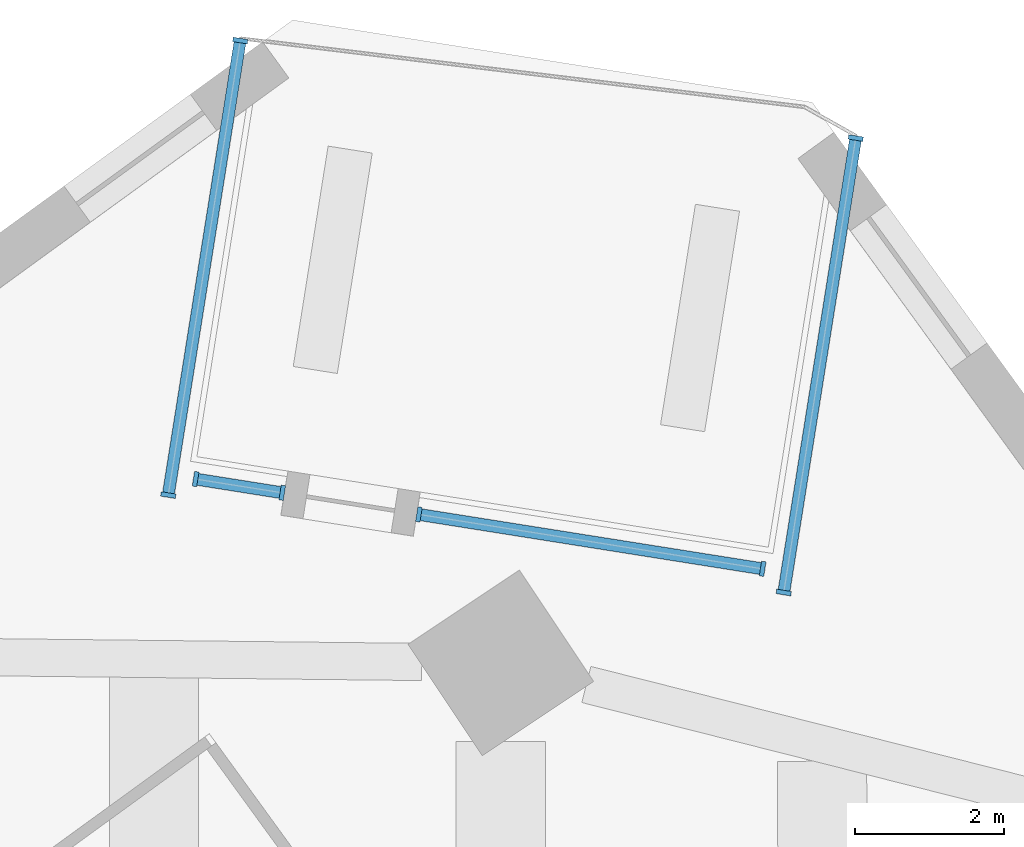
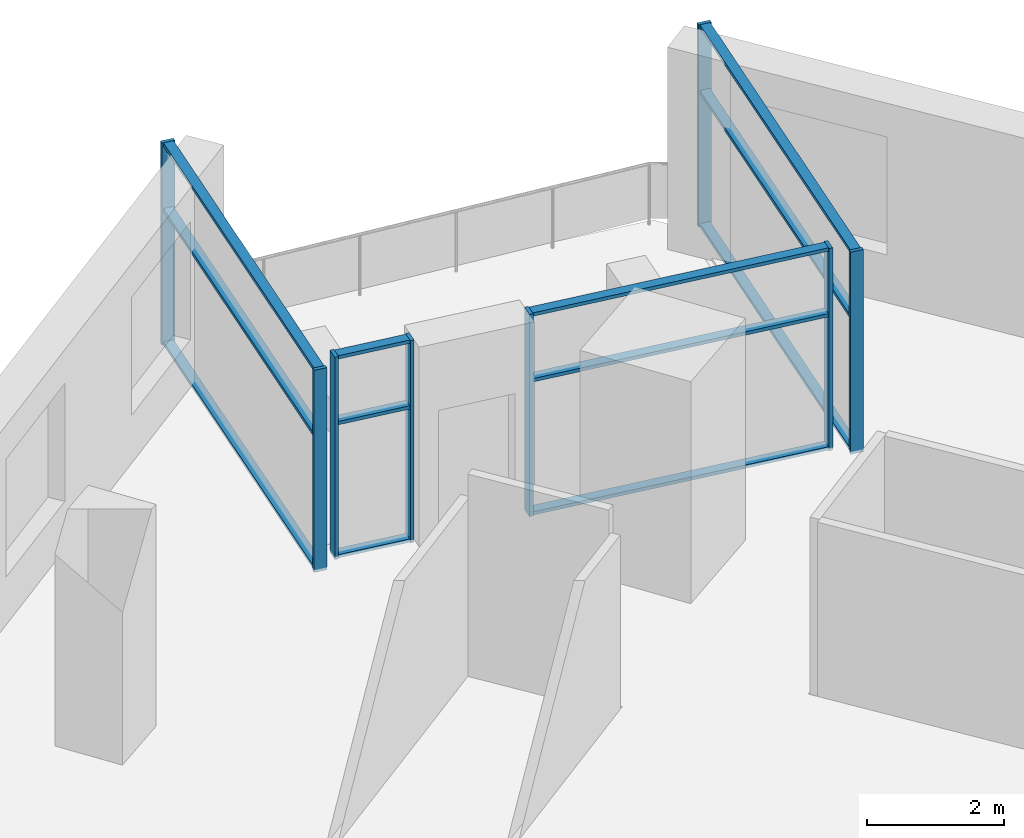
# One storey, part 2 of 11: 20 members, 4 elements without a shape of their own.
"""IFC4 building model written with IfcOpenShell, lengths in metres."""

import ifcopenshell
import ifcopenshell.guid

model = None  # the IFC model being written
_history = None  # IfcOwnerHistory: only IFC2X3 demands one
_inside = {}  # id of a spatial element -> (the spatial element, [elements in it])
_under = {}  # id of a project, library or spatial element -> (it, [spatial elements below it])
_declared = {}  # id of a project -> (the project, [libraries it declares])
_typed = {}  # id of a type object -> (the type object, [elements of that type])
_made_of = {}  # id of a material, layer set ... -> (it, [elements and type objects made of it])


def new_model(schema):
    """Start an empty IFC model of exactly this schema.

    Asked for "IFC4X3", IfcOpenShell would pick the latest addendum, in which some entities
    have other attributes; the version numbers below select the first issue.
    IFC2X3 requires an IfcOwnerHistory on every rooted entity: one is made here for all.
    """
    global model, _history
    if schema == "IFC4X3":
        model = ifcopenshell.file(schema_version=(4, 3, 0, 0))
    else:
        model = ifcopenshell.file(schema=schema)
    _inside.clear()
    _under.clear()
    _declared.clear()
    _typed.clear()
    _made_of.clear()
    _history = None
    if model.schema == "IFC2X3":
        org = make("IfcOrganization", Name="unknown")
        user = make(
            "IfcPersonAndOrganization",
            ThePerson=make("IfcPerson", FamilyName="unknown"),
            TheOrganization=org,
        )
        app = make(
            "IfcApplication",
            ApplicationDeveloper=org,
            Version="unknown",
            ApplicationFullName="unknown",
            ApplicationIdentifier="unknown",
        )
        _history = make(
            "IfcOwnerHistory",
            OwningUser=user,
            OwningApplication=app,
            ChangeAction="ADDED",
            CreationDate=0,
        )
    return model


def make(cls, **values):
    """One entity of the class cls with the attributes given. An attribute that is None is left unset."""
    return model.create_entity(
        cls, **{name: value for name, value in values.items() if value is not None}
    )


def rooted(cls, **values):
    """An entity with a GlobalId (a new one), such as an element, a storey or a relation."""
    return make(cls, GlobalId=ifcopenshell.guid.new(), OwnerHistory=_history, **values)


def si_unit(unit_type, name, prefix=None):
    """IfcSIUnit, for example si_unit("LENGTHUNIT", "METRE", prefix="MILLI")."""
    return make("IfcSIUnit", UnitType=unit_type, Prefix=prefix, Name=name)


def assignment(units):
    """IfcUnitAssignment: the units of a project."""
    return None if units is None else make("IfcUnitAssignment", Units=units)


def point(xyz):
    """IfcCartesianPoint."""
    return None if xyz is None else make("IfcCartesianPoint", Coordinates=xyz)


def direction(xyz):
    """IfcDirection."""
    return None if xyz is None else make("IfcDirection", DirectionRatios=xyz)


def frame(location, z_axis=None, x_axis=None):
    """IfcAxis2Placement3D, a coordinate frame: its origin and axes. An axis left out is left unset."""
    return make(
        "IfcAxis2Placement3D",
        Location=point(location),
        Axis=direction(z_axis),
        RefDirection=direction(x_axis),
    )


def frame_2d(location, x_axis=None):
    """IfcAxis2Placement2D, a coordinate frame in the plane: its origin and x axis."""
    return make(
        "IfcAxis2Placement2D", Location=point(location), RefDirection=direction(x_axis)
    )


def origin():
    """The frame at (0, 0, 0) with its axes left unset."""
    return frame((0.0, 0.0, 0.0))


def origin_2d():
    """The frame at (0, 0) in the plane with its x axis left unset."""
    return frame_2d((0.0, 0.0))


def place(relative_to, where):
    """IfcLocalPlacement: puts the frame where relative to a parent placement (None: the world)."""
    return make(
        "IfcLocalPlacement", PlacementRelTo=relative_to, RelativePlacement=where
    )


def context(
    kind, dimensions, precision=None, world=None, true_north=None, identifier=None
):
    """IfcGeometricRepresentationContext, for example the 3D "Model" context."""
    return make(
        "IfcGeometricRepresentationContext",
        ContextIdentifier=identifier,
        ContextType=kind,
        CoordinateSpaceDimension=dimensions,
        Precision=precision,
        WorldCoordinateSystem=world,
        TrueNorth=true_north,
    )


def subcontext(parent, identifier, kind, view, scale=None):
    """IfcGeometricRepresentationSubContext, for example "Body" below "Model"."""
    return make(
        "IfcGeometricRepresentationSubContext",
        ContextIdentifier=identifier,
        ContextType=kind,
        ParentContext=parent,
        TargetScale=scale,
        TargetView=view,
    )


def project(units=None, contexts=None):
    """IfcProject with its units and contexts."""
    return rooted(
        "IfcProject",
        Name="project",
        RepresentationContexts=contexts,
        UnitsInContext=assignment(units),
    )


def spatial(cls, under=None, at=None, **own):
    """A site, building, storey or space (cls), placed at a placement, below another one or the project."""
    s = rooted(cls, ObjectPlacement=at, **own)
    if under is not None:
        _under.setdefault(under.id(), (under, []))[1].append(s)
    return s


def profile(cls, at=None, kind="AREA", **sizes):
    """A parametric profile (cls). Its sizes go by their IFC names, for example OverallWidth=200.0."""
    return make(cls, ProfileType=kind, Position=at, **sizes)


def rectangle(**sizes):
    """IfcRectangleProfileDef."""
    return profile("IfcRectangleProfileDef", **sizes)


def extrude(swept, where, along, depth):
    """IfcExtrudedAreaSolid: the profile swept, set in the frame where, extruded along a direction by depth."""
    return make(
        "IfcExtrudedAreaSolid",
        SweptArea=swept,
        Position=where,
        ExtrudedDirection=direction(along),
        Depth=depth,
    )


def shape(context_of_items, identifier, shape_type, items):
    """IfcShapeRepresentation: the items that make up one representation, for example the "Body"."""
    return make(
        "IfcShapeRepresentation",
        ContextOfItems=context_of_items,
        RepresentationIdentifier=identifier,
        RepresentationType=shape_type,
        Items=items,
    )


def material(Name=None, Category=None):
    """IfcMaterial."""
    return make("IfcMaterial", Name=Name, Category=Category)


def material_profile(
    of_material, cross_section, Name=None, Category=None, Priority=None
):
    """IfcMaterialProfile: a cross section and its material."""
    return make(
        "IfcMaterialProfile",
        Name=Name,
        Material=of_material,
        Profile=cross_section,
        Priority=Priority,
        Category=Category,
    )


def profile_set(profiles, Name=None, composite=None):
    """IfcMaterialProfileSet."""
    return make(
        "IfcMaterialProfileSet",
        Name=Name,
        MaterialProfiles=profiles,
        CompositeProfile=composite,
    )


def made_of(thing, what):
    """Note that an element or type object is made of a material, layer set ...; save() writes the relation."""
    if what is not None:
        _made_of.setdefault(what.id(), (what, []))[1].append(thing)
    return thing


def type_object(cls, material=None, **own):
    """A type object (cls), such as IfcWallType, which elements share."""
    return made_of(rooted(cls, **own), material)


def element(
    cls,
    number,
    at=None,
    inside=None,
    cuts=None,
    type_object=None,
    material=None,
    context=None,
    identifier="Body",
    shape_type=None,
    held_by="IfcProductDefinitionShape",
    body=None,
    shapes=None,
    **own,
):
    """One element of the class cls, such as IfcWall. Its Tag is "e" and its number.

    at: its placement. inside: the storey or other place that contains it. cuts: it is an
    opening in that element (IfcRelVoidsElement). A single representation is given by context,
    identifier, shape_type and body (its items); several are given by shapes. held_by: the class
    of the entity that holds the representations. save() writes the other relations.
    """
    e = rooted(cls, Tag="e%d" % number, ObjectPlacement=at, **own)
    if body is not None:
        shapes = [shape(context, identifier, shape_type, body)]
    if shapes is not None:
        e.Representation = make(held_by, Representations=shapes)
    if inside is not None:
        _inside.setdefault(inside.id(), (inside, []))[1].append(e)
    if cuts is not None:
        rooted(
            "IfcRelVoidsElement", RelatingBuildingElement=cuts, RelatedOpeningElement=e
        )
    if type_object is not None:
        _typed.setdefault(type_object.id(), (type_object, []))[1].append(e)
    return made_of(e, material)


def aggregate(whole, parts):
    """IfcRelAggregates: a whole, such as a stair, and the parts it consists of."""
    return rooted("IfcRelAggregates", RelatingObject=whole, RelatedObjects=parts)


def save(model, path):
    """Write the relations noted so far, then the file.

    IfcRelAggregates (storeys below a building ...), IfcRelContainedInSpatialStructure (elements
    in a storey), IfcRelDefinesByType, IfcRelAssociatesMaterial and IfcRelDeclares: one each for
    every whole, place, type object, material and project.
    """
    for whole, parts in _under.values():
        aggregate(whole, parts)
    for where, things in _inside.values():
        rooted(
            "IfcRelContainedInSpatialStructure",
            RelatedElements=things,
            RelatingStructure=where,
        )
    for kind, things in _typed.values():
        rooted("IfcRelDefinesByType", RelatedObjects=things, RelatingType=kind)
    for what, things in _made_of.values():
        rooted("IfcRelAssociatesMaterial", RelatedObjects=things, RelatingMaterial=what)
    for by, libraries in _declared.values():
        rooted("IfcRelDeclares", RelatingContext=by, RelatedDefinitions=libraries)
    model.write(path)


model = new_model("IFC4")

# Units and contexts
model_context = context("Model", 3, precision=1e-05, world=origin(), true_north=direction((0.0, 1.0)))
body_context = subcontext(model_context, "Body", "Model", "MODEL_VIEW")
ifc_project = project(units=[si_unit("LENGTHUNIT", "METRE"), si_unit("AREAUNIT", "SQUARE_METRE"), si_unit("VOLUMEUNIT", "CUBIC_METRE"), si_unit("PLANEANGLEUNIT", "RADIAN"), si_unit("MASSUNIT", "GRAM", prefix="KILO")], contexts=[model_context])

# Site, building, storey
site_placement = place(None, origin())
site = spatial("IfcSite", under=ifc_project, at=site_placement, CompositionType="ELEMENT")
building_placement = place(site_placement, origin())
building = spatial("IfcBuilding", under=site, at=building_placement, Name="Dilmun Exchange Tower", CompositionType="ELEMENT")
storey_placement = place(building_placement, frame((0.0, 0.0, 163.699951171875)))
storey = spatial("IfcBuildingStorey", under=building, at=storey_placement, Name="L38", CompositionType="ELEMENT", Elevation=163.699951171875)

# Curtain wall, members
ifc_material_1 = material(Name="Anodised aluminium and clear glass", Category="aluminium")
curtain_wall_type = type_object("IfcCurtainWallType", Name="Garden corner glazing", PredefinedType="NOTDEFINED", material=ifc_material_1)
curtain_wall_1_placement = place(storey_placement, origin())
curtain_wall_1 = element("IfcCurtainWall", 1, at=curtain_wall_1_placement, inside=storey, type_object=curtain_wall_type, Name="Garden corner glazing run GC1.1", PredefinedType="NOTDEFINED")
ifc_material_2 = material(Name="Anodised aluminium", Category="aluminium")
ifc_material_profile_1 = material_profile(ifc_material_2, rectangle(XDim=0.199951171875, YDim=0.06005859375, at=origin_2d()), Name="AL 60x200")
ifc_profile_set_1 = profile_set([ifc_material_profile_1], Name="Anodised aluminium")
member_type_1 = type_object("IfcMemberType", Name="Garden corner glazing mullion 60 x 200", PredefinedType="MULLION", material=ifc_profile_set_1)
member_1_placement = place(storey_placement, frame((12.27734375, 34.465576171875, 0.0), z_axis=(0.0, 0.0, 1.0), x_axis=(0.987687564963, -0.15643936211, 0.0)))
member_1 = element("IfcMember", 2, at=member_1_placement, type_object=member_type_1, Name="GC1.1 mullion 1", PredefinedType="MULLION", context=body_context, shape_type="SweptSolid", body=[
    extrude(rectangle(XDim=0.199951171875, YDim=0.06005859375, at=origin_2d()), origin(), (0.0, 0.0, 1.0), 3.60009765625),
])
member_2_placement = place(storey_placement, frame((11.3095703125, 28.355224609375, 0.0), z_axis=(0.0, 0.0, 1.0), x_axis=(0.987687564963, -0.15643936211, 0.0)))
member_2 = element("IfcMember", 3, at=member_2_placement, type_object=member_type_1, Name="GC1.1 mullion 2", PredefinedType="MULLION", context=body_context, shape_type="SweptSolid", body=[
    extrude(rectangle(XDim=0.199951171875, YDim=0.06005859375, at=origin_2d()), origin(), (0.0, 0.0, 1.0), 3.60009765625),
])

curtain_wall_2_placement = place(storey_placement, origin())
curtain_wall_2 = element("IfcCurtainWall", 4, at=curtain_wall_2_placement, inside=storey, type_object=curtain_wall_type, Name="Garden corner glazing run GC2.1", PredefinedType="NOTDEFINED")
member_3_placement = place(storey_placement, frame((11.02587890625, 28.673583984375, 0.0), z_axis=(0.0, 0.0, 1.0), x_axis=(-0.156420902238, -0.987690488636, 0.0)))
member_3 = element("IfcMember", 5, at=member_3_placement, type_object=member_type_1, Name="GC2.1 mullion 1", PredefinedType="MULLION", context=body_context, shape_type="SweptSolid", body=[
    extrude(rectangle(XDim=0.199951171875, YDim=0.06005859375, at=origin_2d()), origin(), (0.0, 0.0, 1.0), 3.60009765625),
])
member_4_placement = place(storey_placement, frame((6.404541015625, 29.405517578125, 0.0), z_axis=(0.0, 0.0, 1.0), x_axis=(-0.156420902238, -0.987690488636, 0.0)))
member_4 = element("IfcMember", 6, at=member_4_placement, type_object=member_type_1, Name="GC2.1 mullion 2", PredefinedType="MULLION", context=body_context, shape_type="SweptSolid", body=[
    extrude(rectangle(XDim=0.199951171875, YDim=0.06005859375, at=origin_2d()), origin(), (0.0, 0.0, 1.0), 3.60009765625),
])

curtain_wall_3_placement = place(storey_placement, origin())
curtain_wall_3 = element("IfcCurtainWall", 7, at=curtain_wall_3_placement, inside=storey, type_object=curtain_wall_type, Name="Garden corner glazing run GC2.3", PredefinedType="NOTDEFINED")
member_5_placement = place(storey_placement, frame((4.5673828125, 29.6962890625, 0.0), z_axis=(0.0, 0.0, 1.0), x_axis=(-0.156488885164, -0.987679719757, 0.0)))
member_5 = element("IfcMember", 8, at=member_5_placement, type_object=member_type_1, Name="GC2.3 mullion 1", PredefinedType="MULLION", context=body_context, shape_type="SweptSolid", body=[
    extrude(rectangle(XDim=0.199951171875, YDim=0.06005859375, at=origin_2d()), origin(), (0.0, 0.0, 1.0), 3.60009765625),
])
member_6_placement = place(storey_placement, frame((3.40283203125, 29.880859375, 0.0), z_axis=(0.0, 0.0, 1.0), x_axis=(-0.156488885164, -0.987679719757, 0.0)))
member_6 = element("IfcMember", 9, at=member_6_placement, type_object=member_type_1, Name="GC2.3 mullion 2", PredefinedType="MULLION", context=body_context, shape_type="SweptSolid", body=[
    extrude(rectangle(XDim=0.199951171875, YDim=0.06005859375, at=origin_2d()), origin(), (0.0, 0.0, 1.0), 3.60009765625),
])

curtain_wall_4_placement = place(storey_placement, origin())
curtain_wall_4 = element("IfcCurtainWall", 10, at=curtain_wall_4_placement, inside=storey, type_object=curtain_wall_type, Name="Garden corner glazing run GC3.1", PredefinedType="NOTDEFINED")
member_7_placement = place(storey_placement, frame((3.03466796875, 29.665771484375, 0.0), z_axis=(0.0, 0.0, 1.0), x_axis=(-0.987687173161, 0.156441835751, 0.0)))
member_7 = element("IfcMember", 11, at=member_7_placement, type_object=member_type_1, Name="GC3.1 mullion 1", PredefinedType="MULLION", context=body_context, shape_type="SweptSolid", body=[
    extrude(rectangle(XDim=0.199951171875, YDim=0.06005859375, at=origin_2d()), origin(), (0.0, 0.0, 1.0), 3.60009765625),
])
member_8_placement = place(storey_placement, frame((4.00244140625, 35.776123046875, 0.0), z_axis=(0.0, 0.0, 1.0), x_axis=(-0.987687173161, 0.156441835751, 0.0)))
member_8 = element("IfcMember", 12, at=member_8_placement, type_object=member_type_1, Name="GC3.1 mullion 2", PredefinedType="MULLION", context=body_context, shape_type="SweptSolid", body=[
    extrude(rectangle(XDim=0.199951171875, YDim=0.06005859375, at=origin_2d()), origin(), (0.0, 0.0, 1.0), 3.60009765625),
])

# Member
ifc_material_profile_2 = material_profile(ifc_material_2, rectangle(XDim=0.159912109375, YDim=0.06005859375, at=origin_2d()), Name="AL 60x160")
ifc_profile_set_2 = profile_set([ifc_material_profile_2], Name="Anodised aluminium")
member_type_2 = type_object("IfcMemberType", Name="Garden corner glazing transom 60 x 160", PredefinedType="USERDEFINED", material=ifc_profile_set_2)
member_9_placement = place(storey_placement, frame((12.272705078125, 34.435791015625, 0.030029296875), z_axis=(-0.156451633997, -0.987685621147, 0.0), x_axis=(0.987685621147, -0.156451633997, 0.0)))
member_9 = element("IfcMember", 13, at=member_9_placement, type_object=member_type_2, Name="GC1.1 transom 1.1", ObjectType="TRANSOM", PredefinedType="USERDEFINED", context=body_context, shape_type="SweptSolid", body=[
    extrude(rectangle(XDim=0.159912109375, YDim=0.06005859375, at=origin_2d()), origin(), (0.0, 0.0, 1.0), 6.12646484375),
])

member_10_placement = place(storey_placement, frame((12.272705078125, 34.435791015625, 2.400146484375), z_axis=(-0.156451633997, -0.987685621147, 0.0), x_axis=(0.987685621147, -0.156451633997, 0.0)))
member_10 = element("IfcMember", 14, at=member_10_placement, type_object=member_type_2, Name="GC1.1 transom 1.2", ObjectType="TRANSOM", PredefinedType="USERDEFINED", context=body_context, shape_type="SweptSolid", body=[
    extrude(rectangle(XDim=0.159912109375, YDim=0.06005859375, at=origin_2d()), origin(), (0.0, 0.0, 1.0), 6.12646484375),
])

member_11_placement = place(storey_placement, frame((12.272705078125, 34.435791015625, 3.570068359375), z_axis=(-0.156451633997, -0.987685621147, 0.0), x_axis=(0.987685621147, -0.156451633997, 0.0)))
member_11 = element("IfcMember", 15, at=member_11_placement, type_object=member_type_2, Name="GC1.1 transom 1.3", ObjectType="TRANSOM", PredefinedType="USERDEFINED", context=body_context, shape_type="SweptSolid", body=[
    extrude(rectangle(XDim=0.159912109375, YDim=0.06005859375, at=origin_2d()), origin(), (0.0, 0.0, 1.0), 6.12646484375),
])

aggregate(curtain_wall_1, [member_1, member_2, member_9, member_10, member_11])

member_12_placement = place(storey_placement, frame((10.996337890625, 28.67822265625, 0.030029296875), z_axis=(-0.987694301711, 0.156396823394, 0.0), x_axis=(-0.156396823394, -0.987694301711, 0.0)))
member_12 = element("IfcMember", 16, at=member_12_placement, type_object=member_type_2, Name="GC2.1 transom 1.1", ObjectType="TRANSOM", PredefinedType="USERDEFINED", context=body_context, shape_type="SweptSolid", body=[
    extrude(rectangle(XDim=0.159912109375, YDim=0.06005859375, at=origin_2d()), origin(), (0.0, 0.0, 1.0), 4.619140625),
])

member_13_placement = place(storey_placement, frame((10.996337890625, 28.67822265625, 2.400146484375), z_axis=(-0.987694301711, 0.156396823394, 0.0), x_axis=(-0.156396823394, -0.987694301711, 0.0)))
member_13 = element("IfcMember", 17, at=member_13_placement, type_object=member_type_2, Name="GC2.1 transom 1.2", ObjectType="TRANSOM", PredefinedType="USERDEFINED", context=body_context, shape_type="SweptSolid", body=[
    extrude(rectangle(XDim=0.159912109375, YDim=0.06005859375, at=origin_2d()), origin(), (0.0, 0.0, 1.0), 4.619140625),
])

member_14_placement = place(storey_placement, frame((10.996337890625, 28.67822265625, 3.570068359375), z_axis=(-0.987694301711, 0.156396823394, 0.0), x_axis=(-0.156396823394, -0.987694301711, 0.0)))
member_14 = element("IfcMember", 18, at=member_14_placement, type_object=member_type_2, Name="GC2.1 transom 1.3", ObjectType="TRANSOM", PredefinedType="USERDEFINED", context=body_context, shape_type="SweptSolid", body=[
    extrude(rectangle(XDim=0.159912109375, YDim=0.06005859375, at=origin_2d()), origin(), (0.0, 0.0, 1.0), 4.619140625),
])

aggregate(curtain_wall_2, [member_3, member_4, member_12, member_13, member_14])

member_15_placement = place(storey_placement, frame((4.537841796875, 29.701171875, 0.030029296875), z_axis=(-0.987693892397, 0.156399408315, 0.0), x_axis=(-0.156399408315, -0.987693892397, 0.0)))
member_15 = element("IfcMember", 19, at=member_15_placement, type_object=member_type_2, Name="GC2.3 transom 1.1", ObjectType="TRANSOM", PredefinedType="USERDEFINED", context=body_context, shape_type="SweptSolid", body=[
    extrude(rectangle(XDim=0.159912109375, YDim=0.06005859375, at=origin_2d()), origin(), (0.0, 0.0, 1.0), 1.119140625),
])

member_16_placement = place(storey_placement, frame((4.537841796875, 29.701171875, 2.400146484375), z_axis=(-0.987693892397, 0.156399408315, 0.0), x_axis=(-0.156399408315, -0.987693892397, 0.0)))
member_16 = element("IfcMember", 20, at=member_16_placement, type_object=member_type_2, Name="GC2.3 transom 1.2", ObjectType="TRANSOM", PredefinedType="USERDEFINED", context=body_context, shape_type="SweptSolid", body=[
    extrude(rectangle(XDim=0.159912109375, YDim=0.06005859375, at=origin_2d()), origin(), (0.0, 0.0, 1.0), 1.119140625),
])

member_17_placement = place(storey_placement, frame((4.537841796875, 29.701171875, 3.570068359375), z_axis=(-0.987693892397, 0.156399408315, 0.0), x_axis=(-0.156399408315, -0.987693892397, 0.0)))
member_17 = element("IfcMember", 21, at=member_17_placement, type_object=member_type_2, Name="GC2.3 transom 1.3", ObjectType="TRANSOM", PredefinedType="USERDEFINED", context=body_context, shape_type="SweptSolid", body=[
    extrude(rectangle(XDim=0.159912109375, YDim=0.06005859375, at=origin_2d()), origin(), (0.0, 0.0, 1.0), 1.119140625),
])

aggregate(curtain_wall_3, [member_5, member_6, member_15, member_16, member_17])

member_18_placement = place(storey_placement, frame((3.039306640625, 29.695556640625, 0.030029296875), z_axis=(0.15645779208, 0.987684645673, 0.0), x_axis=(-0.987684645673, 0.15645779208, 0.0)))
member_18 = element("IfcMember", 22, at=member_18_placement, type_object=member_type_2, Name="GC3.1 transom 1.1", ObjectType="TRANSOM", PredefinedType="USERDEFINED", context=body_context, shape_type="SweptSolid", body=[
    extrude(rectangle(XDim=0.159912109375, YDim=0.06005859375, at=origin_2d()), origin(), (0.0, 0.0, 1.0), 6.126220703125),
])

member_19_placement = place(storey_placement, frame((3.039306640625, 29.695556640625, 2.400146484375), z_axis=(0.15645779208, 0.987684645673, 0.0), x_axis=(-0.987684645673, 0.15645779208, 0.0)))
member_19 = element("IfcMember", 23, at=member_19_placement, type_object=member_type_2, Name="GC3.1 transom 1.2", ObjectType="TRANSOM", PredefinedType="USERDEFINED", context=body_context, shape_type="SweptSolid", body=[
    extrude(rectangle(XDim=0.159912109375, YDim=0.06005859375, at=origin_2d()), origin(), (0.0, 0.0, 1.0), 6.126220703125),
])

member_20_placement = place(storey_placement, frame((3.039306640625, 29.695556640625, 3.570068359375), z_axis=(0.15645779208, 0.987684645673, 0.0), x_axis=(-0.987684645673, 0.15645779208, 0.0)))
member_20 = element("IfcMember", 24, at=member_20_placement, type_object=member_type_2, Name="GC3.1 transom 1.3", ObjectType="TRANSOM", PredefinedType="USERDEFINED", context=body_context, shape_type="SweptSolid", body=[
    extrude(rectangle(XDim=0.159912109375, YDim=0.06005859375, at=origin_2d()), origin(), (0.0, 0.0, 1.0), 6.126220703125),
])

aggregate(curtain_wall_4, [member_7, member_8, member_18, member_19, member_20])

save(model, "model.ifc")
